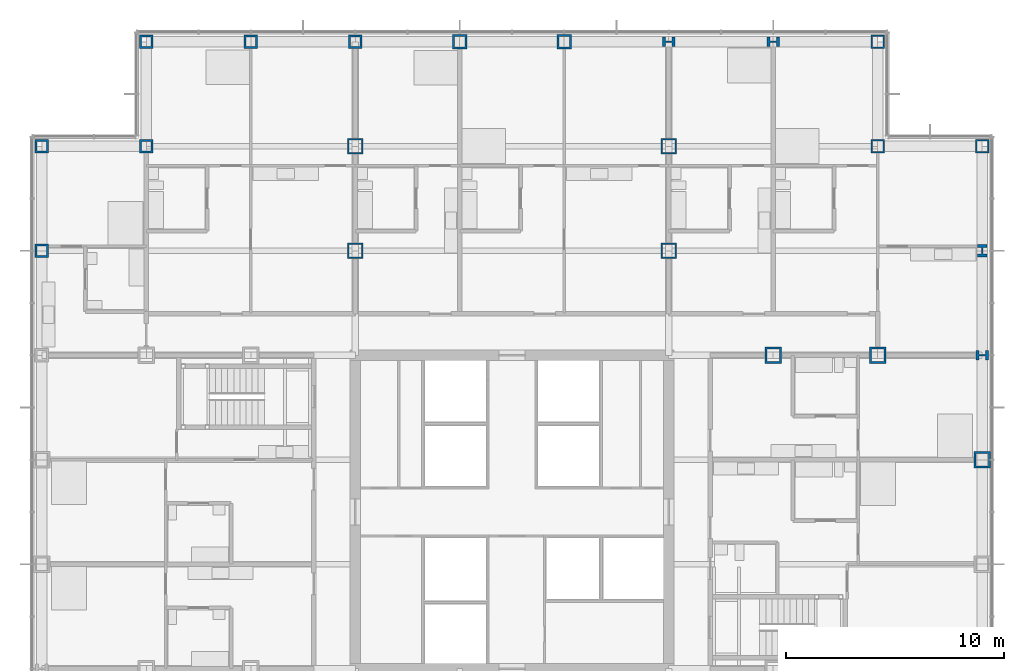
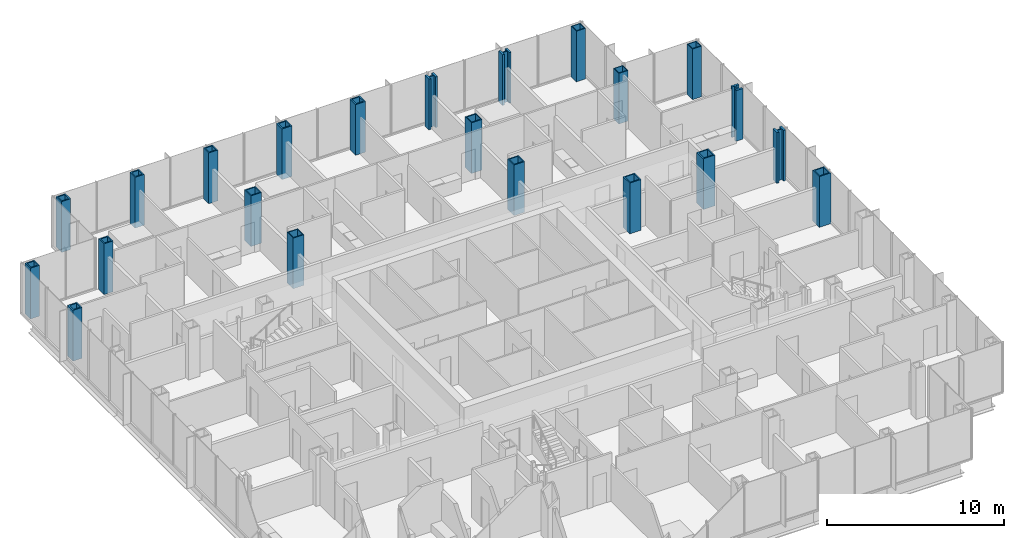
# One storey, part 5 of 21: 22 columns.
"""IFC4 building model written with IfcOpenShell, lengths in metres."""

from ifc_helpers import new_model, si_unit, direction, frame, origin, origin_2d, place, context, subcontext, project, spatial, hollow_rectangle, i_section, extrude, material, material_profile, profile_set, type_object, element, save


model = new_model("IFC4")

# Units and contexts
model_context = context("Model", 3, precision=1e-05, world=origin(), true_north=direction((0.0, 1.0)))
body_context = subcontext(model_context, "Body", "Model", "MODEL_VIEW")
ifc_project = project(units=[si_unit("LENGTHUNIT", "METRE"), si_unit("AREAUNIT", "SQUARE_METRE"), si_unit("VOLUMEUNIT", "CUBIC_METRE"), si_unit("PLANEANGLEUNIT", "RADIAN"), si_unit("MASSUNIT", "GRAM", prefix="KILO")], contexts=[model_context])

# Site, building, storey
site_placement = place(None, origin())
site = spatial("IfcSite", under=ifc_project, at=site_placement, CompositionType="ELEMENT")
building_placement = place(site_placement, origin())
building = spatial("IfcBuilding", under=site, at=building_placement, Name="Kvirike Care Tower", CompositionType="ELEMENT")
storey_placement = place(building_placement, frame((0.0, 0.0, 30.5)))
storey = spatial("IfcBuildingStorey", under=building, at=storey_placement, Name="L07", CompositionType="ELEMENT", Elevation=30.5)

# Columns
ifc_material_1 = material(Name="Steel S460", Category="steel")
ifc_material_profile_1 = material_profile(ifc_material_1, hollow_rectangle(XDim=0.60009765625, YDim=0.60009765625, WallThickness=0.050048828125, at=origin_2d()), Name="BX 600x600x50")
ifc_profile_set_1 = profile_set([ifc_material_profile_1], Name="Steel S460")
column_type_1 = type_object("IfcColumnType", Name="COLUMN BX 600x600x50", PredefinedType="COLUMN", material=ifc_profile_set_1)
for number, where, z_axis, x_axis, name in (
    (1, (38.39990234375, 52.800048828125, 0.0), (0.0, 0.0, 1.0), (0.0, 1.0, 0.0), "Column M11 L07"),
    (2, (38.39990234375, 57.60009765625, 0.0), (0.0, 0.0, 1.0), (0.0, 1.0, 0.0), "Column N11 L07"),
    (3, (43.199951171875, 52.800048828125, 0.0), (0.0, 0.0, 1.0), (0.0, 1.0, 0.0), "Column M12 L07"),
):
    element("IfcColumn", number, at=place(storey_placement, frame(where, z_axis=z_axis, x_axis=x_axis)), inside=storey, type_object=column_type_1, Name=name, PredefinedType="COLUMN", context=body_context, shape_type="SweptSolid", body=[
        extrude(hollow_rectangle(XDim=0.60009765625, YDim=0.60009765625, WallThickness=0.050048828125, at=origin_2d()), origin(), (0.0, 0.0, 1.0), 3.5),
    ])
ifc_material_2 = material(Name="Steel S460", Category="steel")
ifc_material_profile_2 = material_profile(ifc_material_2, hollow_rectangle(XDim=0.60009765625, YDim=0.60009765625, WallThickness=0.080078125, at=origin_2d()), Name="BX 600x600x80")
ifc_profile_set_2 = profile_set([ifc_material_profile_2], Name="Steel S460")
column_type_2 = type_object("IfcColumnType", Name="COLUMN BX 600x600x80", PredefinedType="COLUMN", material=ifc_profile_set_2)
for number, where, z_axis, x_axis, name in (
    (4, (0.0, 48.0, 0.0), (0.0, 0.0, 1.0), (1.0, 0.0, 0.0), "Column L3 L07"),
    (5, (0.0, 52.800048828125, 0.0), (0.0, 0.0, 1.0), (0.0, 1.0, 0.0), "Column M3 L07"),
    (6, (4.800048828125, 52.800048828125, 0.0), (0.0, 0.0, 1.0), (0.0, 1.0, 0.0), "Column M4 L07"),
    (7, (4.800048828125, 57.60009765625, 0.0), (0.0, 0.0, 1.0), (0.0, 1.0, 0.0), "Column N4 L07"),
    (8, (9.60009765625, 57.60009765625, 0.0), (0.0, 0.0, 1.0), (0.0, 1.0, 0.0), "Column N5 L07"),
    (9, (14.39990234375, 57.60009765625, 0.0), (0.0, 0.0, 1.0), (0.0, 1.0, 0.0), "Column N6 L07"),
):
    element("IfcColumn", number, at=place(storey_placement, frame(where, z_axis=z_axis, x_axis=x_axis)), inside=storey, type_object=column_type_2, Name=name, PredefinedType="COLUMN", context=body_context, shape_type="SweptSolid", body=[
        extrude(hollow_rectangle(XDim=0.60009765625, YDim=0.60009765625, WallThickness=0.080078125, at=origin_2d()), origin(), (0.0, 0.0, 1.0), 3.5),
    ])
ifc_material_3 = material(Name="Steel S460", Category="steel")
ifc_material_profile_3 = material_profile(ifc_material_3, hollow_rectangle(XDim=0.64990234375, YDim=0.64990234375, WallThickness=0.080078125, at=origin_2d()), Name="BX 650x650x80")
ifc_profile_set_3 = profile_set([ifc_material_profile_3], Name="Steel S460")
column_type_3 = type_object("IfcColumnType", Name="COLUMN BX 650x650x80", PredefinedType="COLUMN", material=ifc_profile_set_3)
for number, where, z_axis, x_axis, name in (
    (10, (19.199951171875, 57.60009765625, 0.0), (0.0, 0.0, 1.0), (0.0, 1.0, 0.0), "Column N7 L07"),
    (11, (24.0, 57.60009765625, 0.0), (0.0, 0.0, 1.0), (0.0, 1.0, 0.0), "Column N8 L07"),
):
    element("IfcColumn", number, at=place(storey_placement, frame(where, z_axis=z_axis, x_axis=x_axis)), inside=storey, type_object=column_type_3, Name=name, PredefinedType="COLUMN", context=body_context, shape_type="SweptSolid", body=[
        extrude(hollow_rectangle(XDim=0.64990234375, YDim=0.64990234375, WallThickness=0.080078125, at=origin_2d()), origin(), (0.0, 0.0, 1.0), 3.5),
    ])
ifc_material_4 = material(Name="Steel S460", Category="steel")
ifc_material_profile_4 = material_profile(ifc_material_4, hollow_rectangle(XDim=0.699951171875, YDim=0.699951171875, WallThickness=0.06005859375, at=origin_2d()), Name="BX 700x700x60")
ifc_profile_set_4 = profile_set([ifc_material_profile_4], Name="Steel S460")
column_type_4 = type_object("IfcColumnType", Name="COLUMN BX 700x700x60", PredefinedType="COLUMN", material=ifc_profile_set_4)
for number, where, z_axis, x_axis, name in (
    (12, (14.39990234375, 48.0, 0.0), (0.0, 0.0, 1.0), (1.0, 0.0, 0.0), "Column L6 L07"),
    (13, (14.39990234375, 52.800048828125, 0.0), (0.0, 0.0, 1.0), (1.0, 0.0, 0.0), "Column M6 L07"),
    (14, (28.800048828125, 48.0, 0.0), (0.0, 0.0, 1.0), (1.0, 0.0, 0.0), "Column L9 L07"),
    (15, (28.800048828125, 52.800048828125, 0.0), (0.0, 0.0, 1.0), (1.0, 0.0, 0.0), "Column M9 L07"),
):
    element("IfcColumn", number, at=place(storey_placement, frame(where, z_axis=z_axis, x_axis=x_axis)), inside=storey, type_object=column_type_4, Name=name, PredefinedType="COLUMN", context=body_context, shape_type="SweptSolid", body=[
        extrude(hollow_rectangle(XDim=0.699951171875, YDim=0.699951171875, WallThickness=0.06005859375, at=origin_2d()), origin(), (0.0, 0.0, 1.0), 3.5),
    ])
ifc_material_5 = material(Name="Steel S460", Category="steel")
ifc_material_profile_5 = material_profile(ifc_material_5, hollow_rectangle(XDim=0.75, YDim=0.75, WallThickness=0.080078125, at=origin_2d()), Name="BX 750x750x80")
ifc_profile_set_5 = profile_set([ifc_material_profile_5], Name="Steel S460")
column_type_5 = type_object("IfcColumnType", Name="COLUMN BX 750x750x80", PredefinedType="COLUMN", material=ifc_profile_set_5)
for number, where, z_axis, x_axis, name in (
    (16, (33.60009765625, 43.199951171875, 0.0), (0.0, 0.0, 1.0), (0.0, 1.0, 0.0), "Column K10 L07"),
    (17, (38.39990234375, 43.199951171875, 0.0), (0.0, 0.0, 1.0), (0.0, 1.0, 0.0), "Column K11 L07"),
    (18, (43.199951171875, 38.39990234375, 0.0), (0.0, 0.0, 1.0), (1.0, 0.0, 0.0), "Column J12 L07"),
):
    element("IfcColumn", number, at=place(storey_placement, frame(where, z_axis=z_axis, x_axis=x_axis)), inside=storey, type_object=column_type_5, Name=name, PredefinedType="COLUMN", context=body_context, shape_type="SweptSolid", body=[
        extrude(hollow_rectangle(XDim=0.75, YDim=0.75, WallThickness=0.080078125, at=origin_2d()), origin(), (0.0, 0.0, 1.0), 3.5),
    ])
ifc_material_6 = material(Name="Steel S460", Category="steel")
ifc_material_profile_6 = material_profile(ifc_material_6, i_section(OverallWidth=0.4541015625, OverallDepth=0.569091796875, WebThickness=0.077880859375, FlangeThickness=0.125, FilletRadius=0.014892578125, at=origin_2d()), Name="HD 400x1086")
ifc_profile_set_6 = profile_set([ifc_material_profile_6], Name="Steel S460")
column_type_6 = type_object("IfcColumnType", Name="COLUMN HD 400x1086", PredefinedType="COLUMN", material=ifc_profile_set_6)
for number, where, z_axis, x_axis, name in (
    (19, (28.800048828125, 57.60009765625, 0.0), (0.0, 0.0, 1.0), (0.0, 1.0, 0.0), "Column N9 L07"),
    (20, (33.60009765625, 57.60009765625, 0.0), (0.0, 0.0, 1.0), (0.0, 1.0, 0.0), "Column N10 L07"),
    (21, (43.199951171875, 43.199951171875, 0.0), (0.0, 0.0, 1.0), (0.0, 1.0, 0.0), "Column K12 L07"),
    (22, (43.199951171875, 48.0, 0.0), (0.0, 0.0, 1.0), (1.0, 0.0, 0.0), "Column L12 L07"),
):
    element("IfcColumn", number, at=place(storey_placement, frame(where, z_axis=z_axis, x_axis=x_axis)), inside=storey, type_object=column_type_6, Name=name, PredefinedType="COLUMN", context=body_context, shape_type="SweptSolid", body=[
        extrude(i_section(OverallWidth=0.4541015625, OverallDepth=0.569091796875, WebThickness=0.077880859375, FlangeThickness=0.125, FilletRadius=0.014892578125, at=origin_2d()), origin(), (0.0, 0.0, 1.0), 3.5),
    ])

save(model, "model.ifc")
